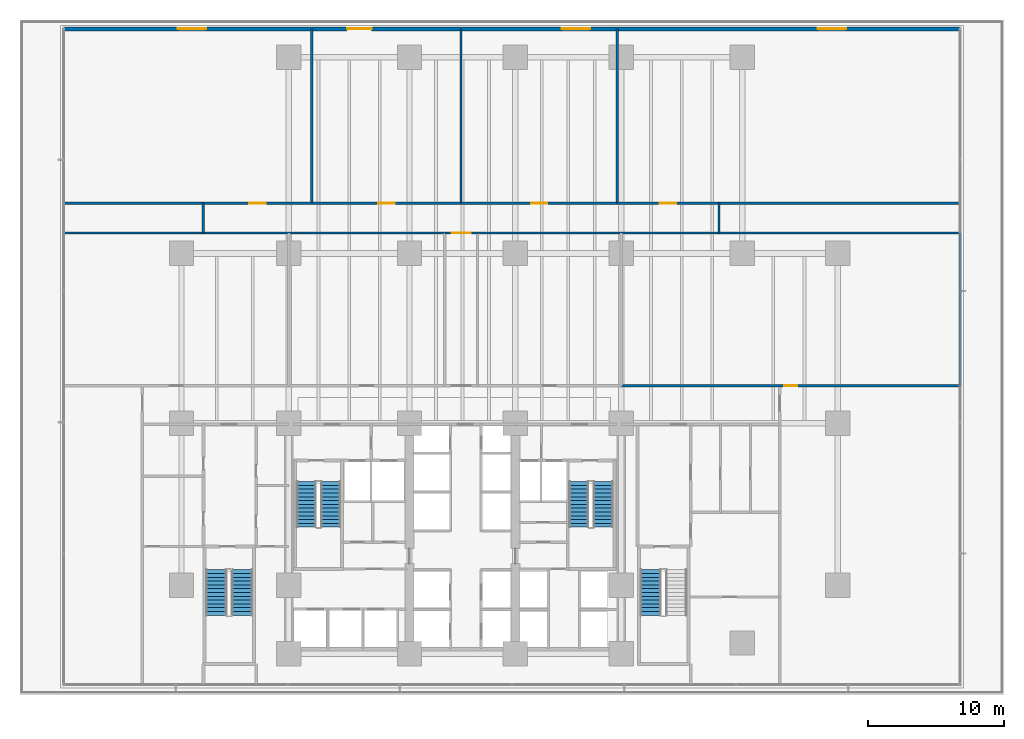
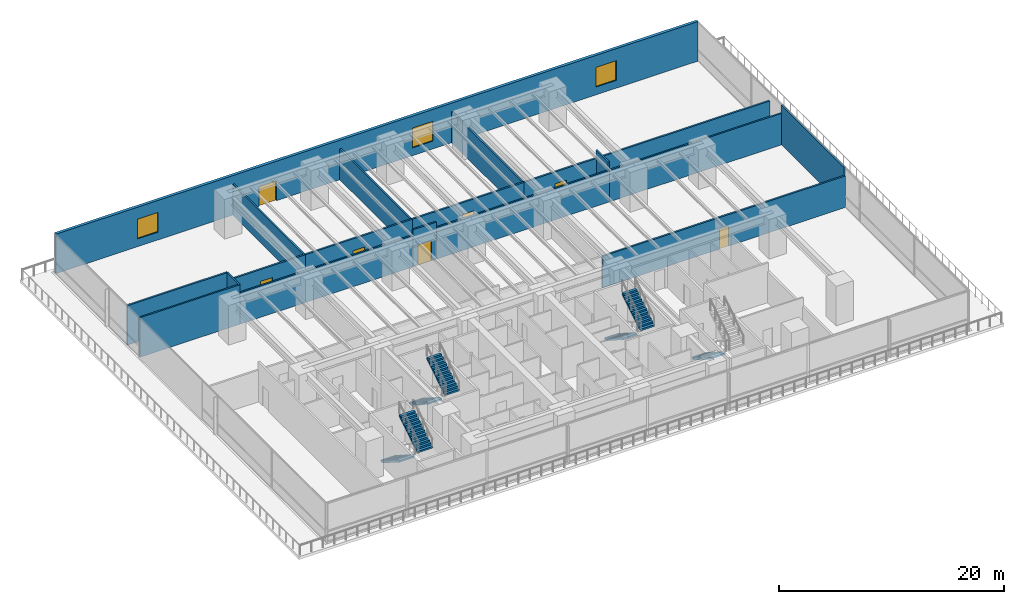
# One storey, part 12 of 24: 19 walls, 7 doors, 7 stair flights, 3 windows, 10 openings, 4 elements without a shape of their own.
"""IFC4 building model written with IfcOpenShell, lengths in metres."""

from ifc_helpers import new_model, si_unit, direction, frame, frame_2d, origin, place, context, subcontext, project, spatial, polyline, rectangle, outline, extrude, material, layer, layer_set, type_object, element, fill, aggregate, save


model = new_model("IFC4")

# Units and contexts
model_context = context("Model", 3, precision=1e-05, world=origin(), true_north=direction((0.0, 1.0)))
body_context = subcontext(model_context, "Body", "Model", "MODEL_VIEW")
ifc_project = project(units=[si_unit("LENGTHUNIT", "METRE"), si_unit("AREAUNIT", "SQUARE_METRE"), si_unit("VOLUMEUNIT", "CUBIC_METRE"), si_unit("PLANEANGLEUNIT", "RADIAN"), si_unit("MASSUNIT", "GRAM", prefix="KILO")], contexts=[model_context])

# Site, building, storey
site_placement = place(None, origin())
site = spatial("IfcSite", under=ifc_project, at=site_placement, CompositionType="ELEMENT")
building_placement = place(site_placement, origin())
building = spatial("IfcBuilding", under=site, at=building_placement, Name="Qalmaran Belvedere Hotel", CompositionType="ELEMENT")
storey_placement = place(building_placement, frame((0.0, 0.0, 14.60009765625)))
storey = spatial("IfcBuildingStorey", under=building, at=storey_placement, Name="L03", CompositionType="ELEMENT", Elevation=14.60009765625)

# Wall, openings, door, windows
ifc_material_1 = material(Name="Riyadh Limestone Cladding", Category="masonry")
ifc_layer_1 = layer(ifc_material_1, 0.300048828125, Name="Riyadh Limestone Cladding")
ifc_layer_set_1 = layer_set([ifc_layer_1], Name="Riyadh Limestone Cladding")
wall_type_1 = type_object("IfcWallType", Name="WL-EXT-BRNZ-300", PredefinedType="SOLIDWALL", material=ifc_layer_set_1)
wall_1_placement = place(storey_placement, frame((3.75, 49.550048828125, 0.0), z_axis=(0.0, 0.0, 1.0), x_axis=(1.0, 0.0, 0.0)))
wall_1 = element("IfcWall", 1, at=wall_1_placement, inside=storey, type_object=wall_type_1, Name="L03 North Terrace Wall", PredefinedType="SOLIDWALL", context=body_context, shape_type="SweptSolid", body=[
    extrude(rectangle(XDim=66.0, YDim=0.300048828125, at=frame_2d((33.0, 0.0))), origin(), (0.0, 0.0, 1.0), 4.2998046875),
])
opening_1_placement = place(wall_1_placement, frame((20.85009765625, 0.0, 0.0)))
opening_1 = element("IfcOpeningElement", 2, at=opening_1_placement, cuts=wall_1, Name="Opening TR-180", PredefinedType="OPENING", context=body_context, shape_type="SweptSolid", body=[
    extrude(rectangle(XDim=1.800048828125, YDim=2.14990234375, at=frame_2d((0.89990234375, 1.074951171875))), frame((0.0, 0.16015625, 0.0), z_axis=(0.0, -1.0, 0.0), x_axis=(1.0, 0.0, 0.0)), (0.0, 0.0, 1.0), 0.320068359375),
])
opening_2_placement = place(wall_1_placement, frame((8.378662109375, 0.0, 0.85009765625)))
opening_2 = element("IfcOpeningElement", 3, at=opening_2_placement, cuts=wall_1, Name="Opening W-P21", PredefinedType="OPENING", context=body_context, shape_type="SweptSolid", body=[
    extrude(rectangle(XDim=2.10009765625, YDim=2.14990234375, at=frame_2d((1.050048828125, 1.074951171875))), frame((0.0, 0.16015625, 0.0), z_axis=(0.0, -1.0, 0.0), x_axis=(1.0, 0.0, 0.0)), (0.0, 0.0, 1.0), 0.320068359375),
])
opening_3_placement = place(wall_1_placement, frame((36.664306640625, 0.0, 0.85009765625)))
opening_3 = element("IfcOpeningElement", 4, at=opening_3_placement, cuts=wall_1, Name="Opening W-P21", PredefinedType="OPENING", context=body_context, shape_type="SweptSolid", body=[
    extrude(rectangle(XDim=2.10009765625, YDim=2.14990234375, at=frame_2d((1.050048828125, 1.074951171875))), frame((0.0, 0.16015625, 0.0), z_axis=(0.0, -1.0, 0.0), x_axis=(1.0, 0.0, 0.0)), (0.0, 0.0, 1.0), 0.320068359375),
])
opening_4_placement = place(wall_1_placement, frame((55.521484375, 0.0, 0.85009765625)))
opening_4 = element("IfcOpeningElement", 5, at=opening_4_placement, cuts=wall_1, Name="Opening W-P21", PredefinedType="OPENING", context=body_context, shape_type="SweptSolid", body=[
    extrude(rectangle(XDim=2.10009765625, YDim=2.14990234375, at=frame_2d((1.050048828125, 1.074951171875))), frame((0.0, 0.16015625, 0.0), z_axis=(0.0, -1.0, 0.0), x_axis=(1.0, 0.0, 0.0)), (0.0, 0.0, 1.0), 0.320068359375),
])
ifc_material_2 = material(Name="Anodised Bronze Aluminium", Category="aluminium")
door_type_1 = type_object("IfcDoorType", Name="DR-TERR-1800X2150", OperationType="NOTDEFINED", PredefinedType="DOOR", material=ifc_material_2)
door_1_placement = place(opening_1_placement, origin())
door_1 = element("IfcDoor", 6, at=door_1_placement, inside=storey, type_object=door_type_1, Name="L03 Podium Terrace Door", OperationType="DOUBLE_DOOR_SINGLE_SWING", OverallHeight=2.14990234375, OverallWidth=1.800048828125, PredefinedType="DOOR", context=body_context, shape_type="SweptSolid", body=[
    extrude(rectangle(XDim=1.800048828125, YDim=2.14990234375, at=frame_2d((0.89990234375, 1.074951171875))), frame((0.0, 0.02490234375, 0.0), z_axis=(0.0, -1.0, 0.0), x_axis=(1.0, 0.0, 0.0)), (0.0, 0.0, 1.0), 0.050048828125),
])
fill(opening_1, door_1)
ifc_material_3 = material(Name="Solar-Control Double Glazing", Category="glass")
window_type = type_object("IfcWindowType", Name="WN-POD-2100X2150", PartitioningType="SINGLE_PANEL", PredefinedType="WINDOW", material=ifc_material_3)
window_1_placement = place(opening_2_placement, origin())
window_1 = element("IfcWindow", 7, at=window_1_placement, inside=storey, type_object=window_type, Name="L03 North Chicago Bay Window 1", OverallHeight=2.14990234375, OverallWidth=2.10009765625, PartitioningType="SINGLE_PANEL", PredefinedType="WINDOW", context=body_context, shape_type="SweptSolid", body=[
    extrude(rectangle(XDim=2.10009765625, YDim=2.14990234375, at=frame_2d((1.050048828125, 1.074951171875))), frame((0.0, 0.030029296875, 0.0), z_axis=(0.0, -1.0, 0.0), x_axis=(1.0, 0.0, 0.0)), (0.0, 0.0, 1.0), 0.06005859375),
])
fill(opening_2, window_1)
window_2_placement = place(opening_3_placement, origin())
window_2 = element("IfcWindow", 8, at=window_2_placement, inside=storey, type_object=window_type, Name="L03 North Chicago Bay Window 4", OverallHeight=2.14990234375, OverallWidth=2.10009765625, PartitioningType="SINGLE_PANEL", PredefinedType="WINDOW", context=body_context, shape_type="SweptSolid", body=[
    extrude(rectangle(XDim=2.10009765625, YDim=2.14990234375, at=frame_2d((1.050048828125, 1.074951171875))), frame((0.0, 0.030029296875, 0.0), z_axis=(0.0, -1.0, 0.0), x_axis=(1.0, 0.0, 0.0)), (0.0, 0.0, 1.0), 0.06005859375),
])
fill(opening_3, window_2)
window_3_placement = place(opening_4_placement, origin())
window_3 = element("IfcWindow", 9, at=window_3_placement, inside=storey, type_object=window_type, Name="L03 North Chicago Bay Window 6", OverallHeight=2.14990234375, OverallWidth=2.10009765625, PartitioningType="SINGLE_PANEL", PredefinedType="WINDOW", context=body_context, shape_type="SweptSolid", body=[
    extrude(rectangle(XDim=2.10009765625, YDim=2.14990234375, at=frame_2d((1.050048828125, 1.074951171875))), frame((0.0, 0.030029296875, 0.0), z_axis=(0.0, -1.0, 0.0), x_axis=(1.0, 0.0, 0.0)), (0.0, 0.0, 1.0), 0.06005859375),
])
fill(opening_4, window_3)

# Wall, opening, door
ifc_material_4 = material(Name="Gypsum Stud Partition")
ifc_layer_2 = layer(ifc_material_4, 0.159912109375, Name="Gypsum Stud Partition")
ifc_layer_set_2 = layer_set([ifc_layer_2], Name="Gypsum Stud Partition")
wall_type_2 = type_object("IfcWallType", Name="WL-INT-160-EI60", PredefinedType="PARTITIONING", material=ifc_layer_set_2)
wall_2_placement = place(storey_placement, frame((31.800048828125, 34.5, 0.0), z_axis=(0.0, 0.0, 1.0), x_axis=(1.0, 0.0, 0.0)))
wall_2 = element("IfcWall", 10, at=wall_2_placement, inside=storey, type_object=wall_type_2, Name="L03 Partition WL-L03-NALN", PredefinedType="PARTITIONING", context=body_context, shape_type="SweptSolid", body=[
    extrude(rectangle(XDim=2.39990234375, YDim=0.159912109375, at=frame_2d((1.199951171875, 0.0))), origin(), (0.0, 0.0, 1.0), 4.037841796875),
])
opening_5_placement = place(wall_2_placement, frame((0.5, 0.0, 0.0)))
opening_5 = element("IfcOpeningElement", 11, at=opening_5_placement, cuts=wall_2, Name="Opening FD90D", PredefinedType="OPENING", context=body_context, shape_type="SweptSolid", body=[
    extrude(rectangle(XDim=1.39990234375, YDim=2.199951171875, at=frame_2d((0.699951171875, 1.10009765625))), frame((0.0, 0.08984375, 0.0), z_axis=(0.0, -1.0, 0.0), x_axis=(1.0, 0.0, 0.0)), (0.0, 0.0, 1.0), 0.179931640625),
])
ifc_material_5 = material(Name="Steel S355JR", Category="steel")
door_type_2 = type_object("IfcDoorType", Name="DR-FD90D-1400X2200", OperationType="NOTDEFINED", PredefinedType="DOOR", material=ifc_material_5)
door_2_placement = place(opening_5_placement, origin())
door_2 = element("IfcDoor", 12, at=door_2_placement, inside=storey, type_object=door_type_2, Name="L03 Atrium Link North Door", OperationType="DOUBLE_DOOR_SINGLE_SWING", OverallHeight=2.199951171875, OverallWidth=1.39990234375, PredefinedType="DOOR", context=body_context, shape_type="SweptSolid", body=[
    extrude(rectangle(XDim=1.39990234375, YDim=2.199951171875, at=frame_2d((0.699951171875, 1.10009765625))), frame((0.0, 0.02490234375, 0.0), z_axis=(0.0, -1.0, 0.0), x_axis=(1.0, 0.0, 0.0)), (0.0, 0.0, 1.0), 0.050048828125),
])
fill(opening_5, door_2)

# Walls
for number, where, z_axis, x_axis, name in (
    (13, (14.0, 34.5, 0.0), (0.0, 0.0, 1.0), (1.0, 0.0, 0.0), "L03 Partition WL-L03-NTPSW"),
    (14, (34.199951171875, 34.5, 0.0), (0.0, 0.0, 1.0), (1.0, 0.0, 0.0), "L03 Partition WL-L03-NTPSE"),
):
    element("IfcWall", number, at=place(storey_placement, frame(where, z_axis=z_axis, x_axis=x_axis)), inside=storey, type_object=wall_type_2, Name=name, PredefinedType="PARTITIONING", context=body_context, shape_type="SweptSolid", body=[
        extrude(rectangle(XDim=17.800048828125, YDim=0.159912109375, at=frame_2d((8.89990234375, 0.0))), origin(), (0.0, 0.0, 1.0), 3.429931640625),
    ])
for number, where, z_axis, x_axis, name in (
    (15, (14.0, 34.5, 0.0), (0.0, 0.0, 1.0), (0.0, 1.0, 0.0), "L03 Partition WL-L03-NTPW"),
    (16, (52.0, 34.5, 0.0), (0.0, 0.0, 1.0), (0.0, 1.0, 0.0), "L03 Partition WL-L03-NTPE"),
):
    element("IfcWall", number, at=place(storey_placement, frame(where, z_axis=z_axis, x_axis=x_axis)), inside=storey, type_object=wall_type_2, Name=name, PredefinedType="PARTITIONING", context=body_context, shape_type="SweptSolid", body=[
        extrude(rectangle(XDim=2.199951171875, YDim=0.159912109375, at=frame_2d((1.10009765625, 0.0))), origin(), (0.0, 0.0, 1.0), 4.2998046875),
    ])
wall_3_placement = place(storey_placement, frame((3.719970703125, 34.5, 0.0), z_axis=(0.0, 0.0, 1.0), x_axis=(1.0, 0.0, 0.0)))
element("IfcWall", 17, at=wall_3_placement, inside=storey, type_object=wall_type_2, Name="L03 Partition WL-L03-PMWN0", PredefinedType="PARTITIONING", context=body_context, shape_type="SweptSolid", body=[
    extrude(rectangle(XDim=10.280029296875, YDim=0.159912109375, at=frame_2d((5.14013671875, 0.0))), origin(), (0.0, 0.0, 1.0), 4.2998046875),
])
wall_4_placement = place(storey_placement, frame((69.780029296875, 23.25, 0.0), z_axis=(0.0, 0.0, 1.0), x_axis=(0.0, 1.0, 0.0)))
element("IfcWall", 18, at=wall_4_placement, inside=storey, type_object=wall_type_2, Name="L03 Partition WL-L03-PMEVR2", PredefinedType="PARTITIONING", context=body_context, shape_type="SweptSolid", body=[
    extrude(rectangle(XDim=11.25, YDim=0.159912109375, at=frame_2d((5.625, 0.0))), origin(), (0.0, 0.0, 1.0), 4.2998046875),
])
wall_5_placement = place(storey_placement, frame((52.0, 34.5, 0.0), z_axis=(0.0, 0.0, 1.0), x_axis=(1.0, 0.0, 0.0)))
element("IfcWall", 19, at=wall_5_placement, inside=storey, type_object=wall_type_2, Name="L03 Partition WL-L03-PMEN0", PredefinedType="PARTITIONING", context=body_context, shape_type="SweptSolid", body=[
    extrude(rectangle(XDim=17.780029296875, YDim=0.159912109375, at=frame_2d((8.89013671875, 0.0))), origin(), (0.0, 0.0, 1.0), 3.429931640625),
])
for number, where, z_axis, x_axis, name in (
    (20, (22.0, 36.699951171875, 0.0), (0.0, 0.0, 1.0), (0.0, 1.0, 0.0), "L03 Partition WL-L03-PNV1"),
    (21, (33.0, 36.699951171875, 0.0), (0.0, 0.0, 1.0), (0.0, 1.0, 0.0), "L03 Partition WL-L03-PNV2"),
    (22, (44.5, 36.699951171875, 0.0), (0.0, 0.0, 1.0), (0.0, 1.0, 0.0), "L03 Partition WL-L03-PNV3"),
):
    element("IfcWall", number, at=place(storey_placement, frame(where, z_axis=z_axis, x_axis=x_axis)), inside=storey, type_object=wall_type_2, Name=name, PredefinedType="PARTITIONING", context=body_context, shape_type="SweptSolid", body=[
        extrude(rectangle(XDim=12.85009765625, YDim=0.159912109375, at=frame_2d((6.425048828125, 0.0))), origin(), (0.0, 0.0, 1.0), 3.372802734375),
    ])

# Wall, opening, door
ifc_layer_3 = layer(ifc_material_4, 0.179931640625, Name="Gypsum Stud Partition")
ifc_layer_set_3 = layer_set([ifc_layer_3], Name="Gypsum Stud Partition")
wall_type_3 = type_object("IfcWallType", Name="WL-INT-180-EI60", PredefinedType="PARTITIONING", material=ifc_layer_set_3)
wall_6_placement = place(storey_placement, frame((44.800048828125, 23.25, 0.0), z_axis=(0.0, 0.0, 1.0), x_axis=(1.0, 0.0, 0.0)))
wall_6 = element("IfcWall", 23, at=wall_6_placement, inside=storey, type_object=wall_type_3, Name="L03 Partition WL-L03-PMED2", PredefinedType="PARTITIONING", context=body_context, shape_type="SweptSolid", body=[
    extrude(rectangle(XDim=24.97998046875, YDim=0.179931640625, at=frame_2d((12.489990234375, 0.0))), origin(), (0.0, 0.0, 1.0), 3.429931640625),
])
opening_6_placement = place(wall_6_placement, frame((12.014892578125, 0.0, 0.0)))
opening_6 = element("IfcOpeningElement", 24, at=opening_6_placement, cuts=wall_6, Name="Opening FD60", PredefinedType="OPENING", context=body_context, shape_type="SweptSolid", body=[
    extrude(rectangle(XDim=0.949951171875, YDim=2.14990234375, at=frame_2d((0.47509765625, 1.074951171875))), frame((0.0, 0.10009765625, 0.0), z_axis=(0.0, -1.0, 0.0), x_axis=(1.0, 0.0, 0.0)), (0.0, 0.0, 1.0), 0.199951171875),
])
ifc_material_6 = material(Name="Engineered Oak Veneer")
door_type_3 = type_object("IfcDoorType", Name="DR-FD60-950X2150", OperationType="NOTDEFINED", PredefinedType="DOOR", material=ifc_material_6)
door_3_placement = place(opening_6_placement, origin())
door_3 = element("IfcDoor", 25, at=door_3_placement, inside=storey, type_object=door_type_3, Name="L03 Breakout Meeting Hall 2 Door", OperationType="SINGLE_SWING_LEFT", OverallHeight=2.14990234375, OverallWidth=0.949951171875, PredefinedType="DOOR", context=body_context, shape_type="SweptSolid", body=[
    extrude(rectangle(XDim=0.949951171875, YDim=2.14990234375, at=frame_2d((0.47509765625, 1.074951171875))), frame((0.0, 0.02490234375, 0.0), z_axis=(0.0, -1.0, 0.0), x_axis=(1.0, 0.0, 0.0)), (0.0, 0.0, 1.0), 0.050048828125),
])
fill(opening_6, door_3)

wall_7_placement = place(storey_placement, frame((14.0, 36.699951171875, 0.0), z_axis=(0.0, 0.0, 1.0), x_axis=(1.0, 0.0, 0.0)))
wall_7 = element("IfcWall", 26, at=wall_7_placement, inside=storey, type_object=wall_type_3, Name="L03 Partition WL-L03-PNT1", PredefinedType="PARTITIONING", context=body_context, shape_type="SweptSolid", body=[
    extrude(rectangle(XDim=8.0, YDim=0.179931640625, at=frame_2d((4.0, 0.0))), origin(), (0.0, 0.0, 1.0), 3.429931640625),
])
opening_7_placement = place(wall_7_placement, frame((3.39990234375, 0.0, 0.0)))
opening_7 = element("IfcOpeningElement", 27, at=opening_7_placement, cuts=wall_7, Name="Opening FD60P", PredefinedType="OPENING", context=body_context, shape_type="SweptSolid", body=[
    extrude(rectangle(XDim=1.199951171875, YDim=2.139892578125, at=frame_2d((0.60009765625, 1.06982421875))), frame((0.0, 0.10009765625, 0.0), z_axis=(0.0, -1.0, 0.0), x_axis=(1.0, 0.0, 0.0)), (0.0, 0.0, 1.0), 0.199951171875),
])
door_type_4 = type_object("IfcDoorType", Name="DR-FD60P-1200X2140", OperationType="NOTDEFINED", PredefinedType="DOOR", material=ifc_material_6)
door_4_placement = place(opening_7_placement, origin())
door_4 = element("IfcDoor", 28, at=door_4_placement, inside=storey, type_object=door_type_4, Name="L03 Terrace Reception Lounge Door", OperationType="DOUBLE_DOOR_SINGLE_SWING", OverallHeight=2.139892578125, OverallWidth=1.199951171875, PredefinedType="DOOR", context=body_context, shape_type="SweptSolid", body=[
    extrude(rectangle(XDim=1.199951171875, YDim=2.139892578125, at=frame_2d((0.60009765625, 1.06982421875))), frame((0.0, 0.02490234375, 0.0), z_axis=(0.0, -1.0, 0.0), x_axis=(1.0, 0.0, 0.0)), (0.0, 0.0, 1.0), 0.050048828125),
])
fill(opening_7, door_4)

# Wall
wall_8_placement = place(storey_placement, frame((3.719970703125, 36.699951171875, 0.0), z_axis=(0.0, 0.0, 1.0), x_axis=(1.0, 0.0, 0.0)))
element("IfcWall", 29, at=wall_8_placement, inside=storey, type_object=wall_type_3, Name="L03 Partition WL-L03-PNTW1", PredefinedType="PARTITIONING", context=body_context, shape_type="SweptSolid", body=[
    extrude(rectangle(XDim=10.280029296875, YDim=0.179931640625, at=frame_2d((5.14013671875, 0.0))), origin(), (0.0, 0.0, 1.0), 4.2998046875),
])

# Wall, opening, door
wall_9_placement = place(storey_placement, frame((22.0, 36.699951171875, 0.0), z_axis=(0.0, 0.0, 1.0), x_axis=(1.0, 0.0, 0.0)))
wall_9 = element("IfcWall", 30, at=wall_9_placement, inside=storey, type_object=wall_type_3, Name="L03 Partition WL-L03-PNT2", PredefinedType="PARTITIONING", context=body_context, shape_type="SweptSolid", body=[
    extrude(rectangle(XDim=11.0, YDim=0.179931640625, at=frame_2d((5.5, 0.0))), origin(), (0.0, 0.0, 1.0), 3.429931640625),
])
opening_8_placement = place(wall_9_placement, frame((4.89990234375, 0.0, 0.0)))
opening_8 = element("IfcOpeningElement", 31, at=opening_8_placement, cuts=wall_9, Name="Opening FD60P", PredefinedType="OPENING", context=body_context, shape_type="SweptSolid", body=[
    extrude(rectangle(XDim=1.199951171875, YDim=2.139892578125, at=frame_2d((0.60009765625, 1.06982421875))), frame((0.0, 0.10009765625, 0.0), z_axis=(0.0, -1.0, 0.0), x_axis=(1.0, 0.0, 0.0)), (0.0, 0.0, 1.0), 0.199951171875),
])
door_5_placement = place(opening_8_placement, origin())
door_5 = element("IfcDoor", 32, at=door_5_placement, inside=storey, type_object=door_type_4, Name="L03 Garden Boardroom A Door", OperationType="DOUBLE_DOOR_SINGLE_SWING", OverallHeight=2.139892578125, OverallWidth=1.199951171875, PredefinedType="DOOR", context=body_context, shape_type="SweptSolid", body=[
    extrude(rectangle(XDim=1.199951171875, YDim=2.139892578125, at=frame_2d((0.60009765625, 1.06982421875))), frame((0.0, 0.02490234375, 0.0), z_axis=(0.0, -1.0, 0.0), x_axis=(1.0, 0.0, 0.0)), (0.0, 0.0, 1.0), 0.050048828125),
])
fill(opening_8, door_5)

wall_10_placement = place(storey_placement, frame((33.0, 36.699951171875, 0.0), z_axis=(0.0, 0.0, 1.0), x_axis=(1.0, 0.0, 0.0)))
wall_10 = element("IfcWall", 33, at=wall_10_placement, inside=storey, type_object=wall_type_3, Name="L03 Partition WL-L03-PNT3", PredefinedType="PARTITIONING", context=body_context, shape_type="SweptSolid", body=[
    extrude(rectangle(XDim=11.5, YDim=0.179931640625, at=frame_2d((5.75, 0.0))), origin(), (0.0, 0.0, 1.0), 3.429931640625),
])
opening_9_placement = place(wall_10_placement, frame((5.14990234375, 0.0, 0.0)))
opening_9 = element("IfcOpeningElement", 34, at=opening_9_placement, cuts=wall_10, Name="Opening FD60P", PredefinedType="OPENING", context=body_context, shape_type="SweptSolid", body=[
    extrude(rectangle(XDim=1.199951171875, YDim=2.139892578125, at=frame_2d((0.60009765625, 1.06982421875))), frame((0.0, 0.10009765625, 0.0), z_axis=(0.0, -1.0, 0.0), x_axis=(1.0, 0.0, 0.0)), (0.0, 0.0, 1.0), 0.199951171875),
])
door_6_placement = place(opening_9_placement, origin())
door_6 = element("IfcDoor", 35, at=door_6_placement, inside=storey, type_object=door_type_4, Name="L03 Garden Boardroom B Door", OperationType="DOUBLE_DOOR_SINGLE_SWING", OverallHeight=2.139892578125, OverallWidth=1.199951171875, PredefinedType="DOOR", context=body_context, shape_type="SweptSolid", body=[
    extrude(rectangle(XDim=1.199951171875, YDim=2.139892578125, at=frame_2d((0.60009765625, 1.06982421875))), frame((0.0, 0.02490234375, 0.0), z_axis=(0.0, -1.0, 0.0), x_axis=(1.0, 0.0, 0.0)), (0.0, 0.0, 1.0), 0.050048828125),
])
fill(opening_9, door_6)

wall_11_placement = place(storey_placement, frame((44.5, 36.699951171875, 0.0), z_axis=(0.0, 0.0, 1.0), x_axis=(1.0, 0.0, 0.0)))
wall_11 = element("IfcWall", 36, at=wall_11_placement, inside=storey, type_object=wall_type_3, Name="L03 Partition WL-L03-PNT4", PredefinedType="PARTITIONING", context=body_context, shape_type="SweptSolid", body=[
    extrude(rectangle(XDim=7.5, YDim=0.179931640625, at=frame_2d((3.75, 0.0))), origin(), (0.0, 0.0, 1.0), 3.429931640625),
])
opening_10_placement = place(wall_11_placement, frame((3.14990234375, 0.0, 0.0)))
opening_10 = element("IfcOpeningElement", 37, at=opening_10_placement, cuts=wall_11, Name="Opening FD60P", PredefinedType="OPENING", context=body_context, shape_type="SweptSolid", body=[
    extrude(rectangle(XDim=1.199951171875, YDim=2.139892578125, at=frame_2d((0.60009765625, 1.06982421875))), frame((0.0, 0.10009765625, 0.0), z_axis=(0.0, -1.0, 0.0), x_axis=(1.0, 0.0, 0.0)), (0.0, 0.0, 1.0), 0.199951171875),
])
door_7_placement = place(opening_10_placement, origin())
door_7 = element("IfcDoor", 38, at=door_7_placement, inside=storey, type_object=door_type_4, Name="L03 East Terrace Salon Door", OperationType="DOUBLE_DOOR_SINGLE_SWING", OverallHeight=2.139892578125, OverallWidth=1.199951171875, PredefinedType="DOOR", context=body_context, shape_type="SweptSolid", body=[
    extrude(rectangle(XDim=1.199951171875, YDim=2.139892578125, at=frame_2d((0.60009765625, 1.06982421875))), frame((0.0, 0.02490234375, 0.0), z_axis=(0.0, -1.0, 0.0), x_axis=(1.0, 0.0, 0.0)), (0.0, 0.0, 1.0), 0.050048828125),
])
fill(opening_10, door_7)

# Wall
wall_12_placement = place(storey_placement, frame((52.0, 36.699951171875, 0.0), z_axis=(0.0, 0.0, 1.0), x_axis=(1.0, 0.0, 0.0)))
element("IfcWall", 39, at=wall_12_placement, inside=storey, type_object=wall_type_3, Name="L03 Partition WL-L03-PNTE4", PredefinedType="PARTITIONING", context=body_context, shape_type="SweptSolid", body=[
    extrude(rectangle(XDim=17.780029296875, YDim=0.179931640625, at=frame_2d((8.89013671875, 0.0))), origin(), (0.0, 0.0, 1.0), 3.429931640625),
])

# Stair, stair flights
ifc_material_7 = material(Name="Concrete C40/50", Category="concrete")
stair_type_1 = type_object("IfcStairType", Name="STR-ST-1-1450-R1769", PredefinedType="HALF_TURN_STAIR", material=ifc_material_7)
stair_1_placement = place(storey_placement, origin())
stair_1 = element("IfcStair", 40, at=stair_1_placement, inside=storey, type_object=stair_type_1, Name="L03 West Core Exit Stair ST-1", PredefinedType="HALF_TURN_STAIR")
ifc_layer_4 = layer(ifc_material_7, 0.14990234375, Name="Concrete C40/50")
ifc_layer_set_4 = layer_set([ifc_layer_4], Name="Concrete C40/50")
stair_flight_type_1 = type_object("IfcStairFlightType", Name="STF-ST-1-1450-R1769", PredefinedType="STRAIGHT", material=ifc_layer_set_4)
stair_flight_1_placement = place(storey_placement, frame((21.60498046875, 16.18994140625, 0.0), z_axis=(0.0, 0.0, 1.0), x_axis=(0.0, -1.0, 0.0)))
stair_flight_1 = element("IfcStairFlight", 41, at=stair_flight_1_placement, type_object=stair_flight_type_1, Name="ST-1 flight 1", NumberOfRisers=13, NumberOfTreads=12, PredefinedType="STRAIGHT", RiserHeight=0.176923077, TreadLength=0.28, context=body_context, shape_type="SweptSolid", body=[
    extrude(outline(polyline([(0.0, 0.0), (0.0, 0.177001953125), (0.280029296875, 0.177001953125), (0.280029296875, 0.353759765625), (0.56005859375, 0.353759765625), (0.56005859375, 0.53076171875), (0.840087890625, 0.53076171875), (0.840087890625, 0.707763671875), (1.1201171875, 0.707763671875), (1.1201171875, 0.884521484375), (1.39990234375, 0.884521484375), (1.39990234375, 1.0615234375), (1.679931640625, 1.0615234375), (1.679931640625, 1.238525390625), (1.9599609375, 1.238525390625), (1.9599609375, 1.415283203125), (2.239990234375, 1.415283203125), (2.239990234375, 1.59228515625), (2.52001953125, 1.59228515625), (2.52001953125, 1.769287109375), (2.800048828125, 1.769287109375), (2.800048828125, 1.946044921875), (3.080078125, 1.946044921875), (3.080078125, 2.123046875), (3.360107421875, 2.123046875), (3.360107421875, 2.300048828125), (3.360107421875, 1.94580078125), (0.280517578125, 0.0), (0.0, 0.0)])), frame((0.0, 0.72509765625, 0.0), z_axis=(0.0, -1.0, 0.0), x_axis=(1.0, 0.0, 0.0)), (0.0, 0.0, 1.0), 1.449951171875),
])
stair_flight_2_placement = place(storey_placement, frame((23.39501953125, 12.830078125, 2.2998046875), z_axis=(0.0, 0.0, 1.0), x_axis=(0.0, 1.0, 0.0)))
stair_flight_2 = element("IfcStairFlight", 42, at=stair_flight_2_placement, type_object=stair_flight_type_1, Name="ST-1 flight 2", NumberOfRisers=13, NumberOfTreads=12, PredefinedType="STRAIGHT", RiserHeight=0.176923077, TreadLength=0.28, context=body_context, shape_type="SweptSolid", body=[
    extrude(outline(polyline([(0.0, 0.0), (0.0, 0.177001953125), (0.280029296875, 0.177001953125), (0.280029296875, 0.353759765625), (0.56005859375, 0.353759765625), (0.56005859375, 0.53076171875), (0.840087890625, 0.53076171875), (0.840087890625, 0.707763671875), (1.1201171875, 0.707763671875), (1.1201171875, 0.884521484375), (1.39990234375, 0.884521484375), (1.39990234375, 1.0615234375), (1.679931640625, 1.0615234375), (1.679931640625, 1.238525390625), (1.9599609375, 1.238525390625), (1.9599609375, 1.415283203125), (2.239990234375, 1.415283203125), (2.239990234375, 1.59228515625), (2.52001953125, 1.59228515625), (2.52001953125, 1.769287109375), (2.800048828125, 1.769287109375), (2.800048828125, 1.946044921875), (3.080078125, 1.946044921875), (3.080078125, 2.123046875), (3.360107421875, 2.123046875), (3.360107421875, 2.300048828125), (3.360107421875, 1.94580078125), (0.280517578125, 0.0), (0.0, 0.0)])), frame((0.0, 0.72509765625, 0.0), z_axis=(0.0, -1.0, 0.0), x_axis=(1.0, 0.0, 0.0)), (0.0, 0.0, 1.0), 1.449951171875),
])
aggregate(stair_1, [stair_flight_1, stair_flight_2])

stair_type_2 = type_object("IfcStairType", Name="STR-ST-2-1450-R1769", PredefinedType="HALF_TURN_STAIR", material=ifc_material_7)
stair_2_placement = place(storey_placement, origin())
stair_2 = element("IfcStair", 43, at=stair_2_placement, inside=storey, type_object=stair_type_2, Name="L03 East Core Exit Stair ST-2", PredefinedType="HALF_TURN_STAIR")
ifc_layer_5 = layer(ifc_material_7, 0.14990234375, Name="Concrete C40/50")
ifc_layer_set_5 = layer_set([ifc_layer_5], Name="Concrete C40/50")
stair_flight_type_2 = type_object("IfcStairFlightType", Name="STF-ST-2-1450-R1769", PredefinedType="STRAIGHT", material=ifc_layer_set_5)
stair_flight_3_placement = place(storey_placement, frame((41.68505859375, 16.18994140625, 0.0), z_axis=(0.0, 0.0, 1.0), x_axis=(0.0, -1.0, 0.0)))
stair_flight_3 = element("IfcStairFlight", 44, at=stair_flight_3_placement, type_object=stair_flight_type_2, Name="ST-2 flight 1", NumberOfRisers=13, NumberOfTreads=12, PredefinedType="STRAIGHT", RiserHeight=0.176923077, TreadLength=0.28, context=body_context, shape_type="SweptSolid", body=[
    extrude(outline(polyline([(0.0, 0.0), (0.0, 0.177001953125), (0.280029296875, 0.177001953125), (0.280029296875, 0.353759765625), (0.56005859375, 0.353759765625), (0.56005859375, 0.53076171875), (0.840087890625, 0.53076171875), (0.840087890625, 0.707763671875), (1.1201171875, 0.707763671875), (1.1201171875, 0.884521484375), (1.39990234375, 0.884521484375), (1.39990234375, 1.0615234375), (1.679931640625, 1.0615234375), (1.679931640625, 1.238525390625), (1.9599609375, 1.238525390625), (1.9599609375, 1.415283203125), (2.239990234375, 1.415283203125), (2.239990234375, 1.59228515625), (2.52001953125, 1.59228515625), (2.52001953125, 1.769287109375), (2.800048828125, 1.769287109375), (2.800048828125, 1.946044921875), (3.080078125, 1.946044921875), (3.080078125, 2.123046875), (3.360107421875, 2.123046875), (3.360107421875, 2.300048828125), (3.360107421875, 1.94580078125), (0.280517578125, 0.0), (0.0, 0.0)])), frame((0.0, 0.72509765625, 0.0), z_axis=(0.0, -1.0, 0.0), x_axis=(1.0, 0.0, 0.0)), (0.0, 0.0, 1.0), 1.449951171875),
])
stair_flight_4_placement = place(storey_placement, frame((43.47509765625, 12.830078125, 2.2998046875), z_axis=(0.0, 0.0, 1.0), x_axis=(0.0, 1.0, 0.0)))
stair_flight_4 = element("IfcStairFlight", 45, at=stair_flight_4_placement, type_object=stair_flight_type_2, Name="ST-2 flight 2", NumberOfRisers=13, NumberOfTreads=12, PredefinedType="STRAIGHT", RiserHeight=0.176923077, TreadLength=0.28, context=body_context, shape_type="SweptSolid", body=[
    extrude(outline(polyline([(0.0, 0.0), (0.0, 0.177001953125), (0.280029296875, 0.177001953125), (0.280029296875, 0.353759765625), (0.56005859375, 0.353759765625), (0.56005859375, 0.53076171875), (0.840087890625, 0.53076171875), (0.840087890625, 0.707763671875), (1.1201171875, 0.707763671875), (1.1201171875, 0.884521484375), (1.39990234375, 0.884521484375), (1.39990234375, 1.0615234375), (1.679931640625, 1.0615234375), (1.679931640625, 1.238525390625), (1.9599609375, 1.238525390625), (1.9599609375, 1.415283203125), (2.239990234375, 1.415283203125), (2.239990234375, 1.59228515625), (2.52001953125, 1.59228515625), (2.52001953125, 1.769287109375), (2.800048828125, 1.769287109375), (2.800048828125, 1.946044921875), (3.080078125, 1.946044921875), (3.080078125, 2.123046875), (3.360107421875, 2.123046875), (3.360107421875, 2.300048828125), (3.360107421875, 1.94580078125), (0.280517578125, 0.0), (0.0, 0.0)])), frame((0.0, 0.72509765625, 0.0), z_axis=(0.0, -1.0, 0.0), x_axis=(1.0, 0.0, 0.0)), (0.0, 0.0, 1.0), 1.449951171875),
])
aggregate(stair_2, [stair_flight_3, stair_flight_4])

stair_type_3 = type_object("IfcStairType", Name="STR-ST-P1-1550-R1769", PredefinedType="HALF_TURN_STAIR", material=ifc_material_7)
stair_3_placement = place(storey_placement, origin())
stair_3 = element("IfcStair", 46, at=stair_3_placement, inside=storey, type_object=stair_type_3, Name="L03 West Podium Exit Stair ST-P1", PredefinedType="HALF_TURN_STAIR")
ifc_layer_6 = layer(ifc_material_7, 0.14990234375, Name="Concrete C40/50")
ifc_layer_set_6 = layer_set([ifc_layer_6], Name="Concrete C40/50")
stair_flight_type_3 = type_object("IfcStairFlightType", Name="STF-ST-P1-1550-R1769", PredefinedType="STRAIGHT", material=ifc_layer_set_6)
stair_flight_5_placement = place(storey_placement, frame((14.97509765625, 9.699951171875, 0.0), z_axis=(0.0, 0.0, 1.0), x_axis=(0.0, -1.0, 0.0)))
stair_flight_5 = element("IfcStairFlight", 47, at=stair_flight_5_placement, type_object=stair_flight_type_3, Name="ST-P1 flight 1", NumberOfRisers=13, NumberOfTreads=12, PredefinedType="STRAIGHT", RiserHeight=0.176923077, TreadLength=0.28, context=body_context, shape_type="SweptSolid", body=[
    extrude(outline(polyline([(0.0, 0.0), (0.0, 0.177001953125), (0.280029296875, 0.177001953125), (0.280029296875, 0.353759765625), (0.56005859375, 0.353759765625), (0.56005859375, 0.53076171875), (0.840087890625, 0.53076171875), (0.840087890625, 0.707763671875), (1.1201171875, 0.707763671875), (1.1201171875, 0.884521484375), (1.39990234375, 0.884521484375), (1.39990234375, 1.0615234375), (1.679931640625, 1.0615234375), (1.679931640625, 1.238525390625), (1.9599609375, 1.238525390625), (1.9599609375, 1.415283203125), (2.239990234375, 1.415283203125), (2.239990234375, 1.59228515625), (2.52001953125, 1.59228515625), (2.52001953125, 1.769287109375), (2.800048828125, 1.769287109375), (2.800048828125, 1.946044921875), (3.080078125, 1.946044921875), (3.080078125, 2.123046875), (3.360107421875, 2.123046875), (3.360107421875, 2.300048828125), (3.360107421875, 1.94580078125), (0.280517578125, 0.0), (0.0, 0.0)])), frame((0.0, 0.77490234375, 0.0), z_axis=(0.0, -1.0, 0.0), x_axis=(1.0, 0.0, 0.0)), (0.0, 0.0, 1.0), 1.550048828125),
])
stair_flight_6_placement = place(storey_placement, frame((16.864990234375, 6.340087890625, 2.2998046875), z_axis=(0.0, 0.0, 1.0), x_axis=(0.0, 1.0, 0.0)))
stair_flight_6 = element("IfcStairFlight", 48, at=stair_flight_6_placement, type_object=stair_flight_type_3, Name="ST-P1 flight 2", NumberOfRisers=13, NumberOfTreads=12, PredefinedType="STRAIGHT", RiserHeight=0.176923077, TreadLength=0.28, context=body_context, shape_type="SweptSolid", body=[
    extrude(outline(polyline([(0.0, 0.0), (0.0, 0.177001953125), (0.280029296875, 0.177001953125), (0.280029296875, 0.353759765625), (0.56005859375, 0.353759765625), (0.56005859375, 0.53076171875), (0.840087890625, 0.53076171875), (0.840087890625, 0.707763671875), (1.1201171875, 0.707763671875), (1.1201171875, 0.884521484375), (1.39990234375, 0.884521484375), (1.39990234375, 1.0615234375), (1.679931640625, 1.0615234375), (1.679931640625, 1.238525390625), (1.9599609375, 1.238525390625), (1.9599609375, 1.415283203125), (2.239990234375, 1.415283203125), (2.239990234375, 1.59228515625), (2.52001953125, 1.59228515625), (2.52001953125, 1.769287109375), (2.800048828125, 1.769287109375), (2.800048828125, 1.946044921875), (3.080078125, 1.946044921875), (3.080078125, 2.123046875), (3.360107421875, 2.123046875), (3.360107421875, 2.300048828125), (3.360107421875, 1.94580078125), (0.280517578125, 0.0), (0.0, 0.0)])), frame((0.0, 0.77490234375, 0.0), z_axis=(0.0, -1.0, 0.0), x_axis=(1.0, 0.0, 0.0)), (0.0, 0.0, 1.0), 1.550048828125),
])
aggregate(stair_3, [stair_flight_5, stair_flight_6])

# Stair, stair flight
stair_type_4 = type_object("IfcStairType", Name="STR-ST-P2-1550-R1769", PredefinedType="HALF_TURN_STAIR", material=ifc_material_7)
stair_4_placement = place(storey_placement, origin())
stair_4 = element("IfcStair", 49, at=stair_4_placement, inside=storey, type_object=stair_type_4, Name="L03 East Podium Exit Stair ST-P2", PredefinedType="HALF_TURN_STAIR")
ifc_layer_7 = layer(ifc_material_7, 0.14990234375, Name="Concrete C40/50")
ifc_layer_set_7 = layer_set([ifc_layer_7], Name="Concrete C40/50")
stair_flight_type_4 = type_object("IfcStairFlightType", Name="STF-ST-P2-1550-R1769", PredefinedType="STRAIGHT", material=ifc_layer_set_7)
stair_flight_7_placement = place(storey_placement, frame((46.97509765625, 9.699951171875, 0.0), z_axis=(0.0, 0.0, 1.0), x_axis=(0.0, -1.0, 0.0)))
stair_flight_7 = element("IfcStairFlight", 50, at=stair_flight_7_placement, type_object=stair_flight_type_4, Name="ST-P2 flight 1", NumberOfRisers=13, NumberOfTreads=12, PredefinedType="STRAIGHT", RiserHeight=0.176923077, TreadLength=0.28, context=body_context, shape_type="SweptSolid", body=[
    extrude(outline(polyline([(0.0, 0.0), (0.0, 0.177001953125), (0.280029296875, 0.177001953125), (0.280029296875, 0.353759765625), (0.56005859375, 0.353759765625), (0.56005859375, 0.53076171875), (0.840087890625, 0.53076171875), (0.840087890625, 0.707763671875), (1.1201171875, 0.707763671875), (1.1201171875, 0.884521484375), (1.39990234375, 0.884521484375), (1.39990234375, 1.0615234375), (1.679931640625, 1.0615234375), (1.679931640625, 1.238525390625), (1.9599609375, 1.238525390625), (1.9599609375, 1.415283203125), (2.239990234375, 1.415283203125), (2.239990234375, 1.59228515625), (2.52001953125, 1.59228515625), (2.52001953125, 1.769287109375), (2.800048828125, 1.769287109375), (2.800048828125, 1.946044921875), (3.080078125, 1.946044921875), (3.080078125, 2.123046875), (3.360107421875, 2.123046875), (3.360107421875, 2.300048828125), (3.360107421875, 1.94580078125), (0.280517578125, 0.0), (0.0, 0.0)])), frame((0.0, 0.77490234375, 0.0), z_axis=(0.0, -1.0, 0.0), x_axis=(1.0, 0.0, 0.0)), (0.0, 0.0, 1.0), 1.550048828125),
])
aggregate(stair_4, [stair_flight_7])

save(model, "model.ifc")
